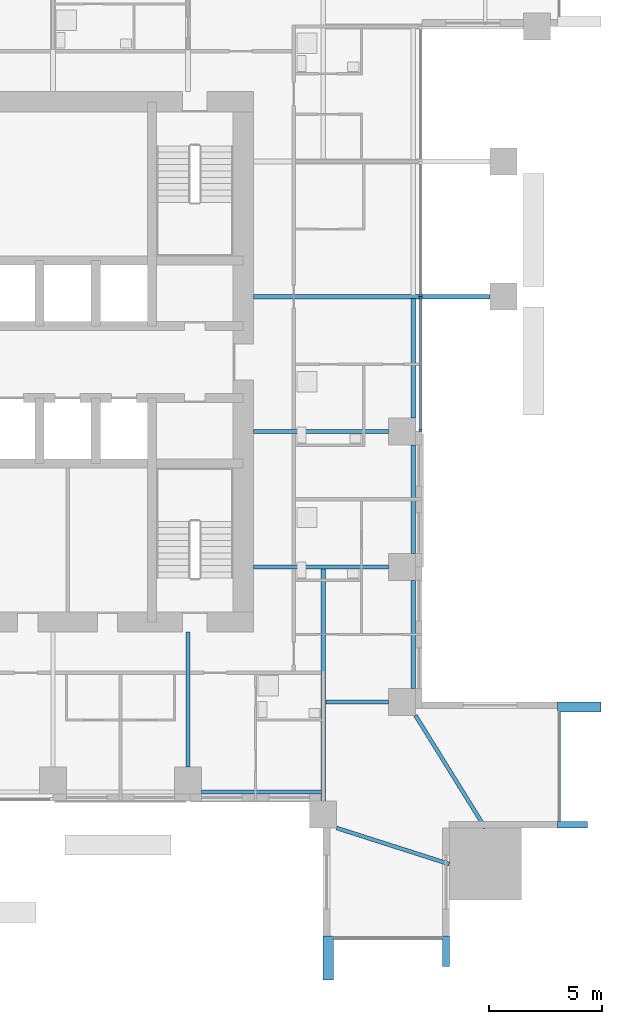
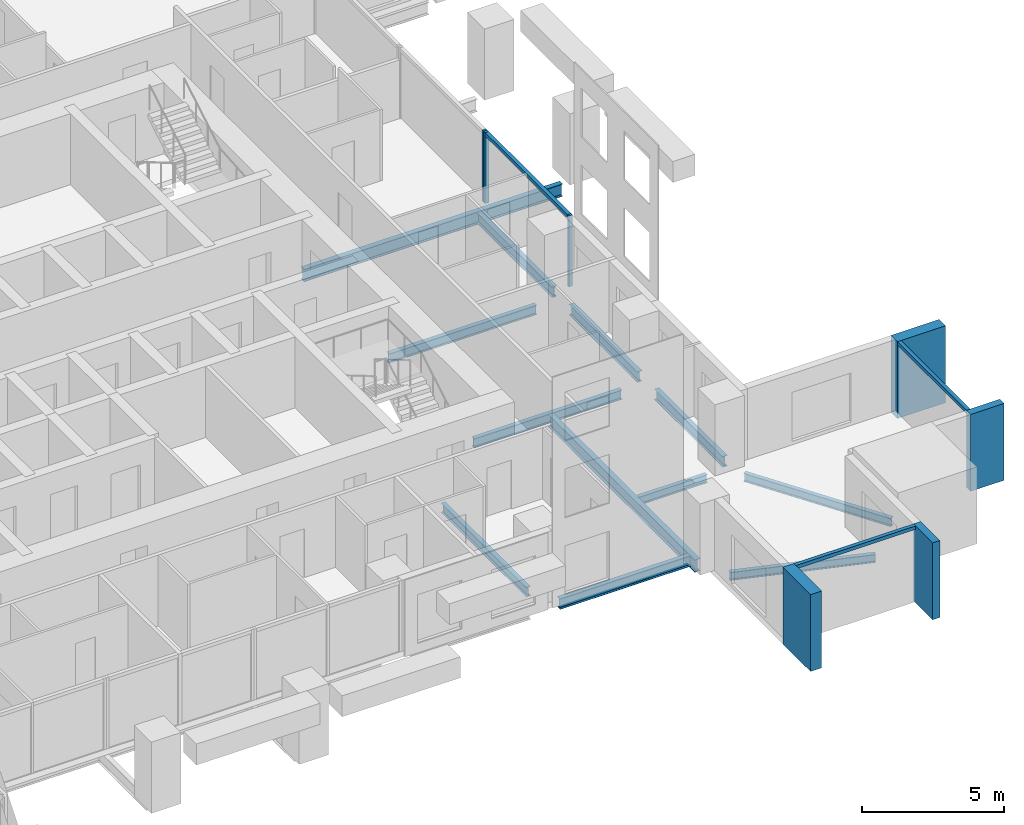
# One storey, part 3 of 13: 12 beams, 10 members, 4 elements without a shape of their own.
"""IFC4 building model written with IfcOpenShell, lengths in metres."""

import ifcopenshell
import ifcopenshell.guid

model = None  # the IFC model being written
_history = None  # IfcOwnerHistory: only IFC2X3 demands one
_inside = {}  # id of a spatial element -> (the spatial element, [elements in it])
_under = {}  # id of a project, library or spatial element -> (it, [spatial elements below it])
_declared = {}  # id of a project -> (the project, [libraries it declares])
_typed = {}  # id of a type object -> (the type object, [elements of that type])
_made_of = {}  # id of a material, layer set ... -> (it, [elements and type objects made of it])


def new_model(schema):
    """Start an empty IFC model of exactly this schema.

    Asked for "IFC4X3", IfcOpenShell would pick the latest addendum, in which some entities
    have other attributes; the version numbers below select the first issue.
    IFC2X3 requires an IfcOwnerHistory on every rooted entity: one is made here for all.
    """
    global model, _history
    if schema == "IFC4X3":
        model = ifcopenshell.file(schema_version=(4, 3, 0, 0))
    else:
        model = ifcopenshell.file(schema=schema)
    _inside.clear()
    _under.clear()
    _declared.clear()
    _typed.clear()
    _made_of.clear()
    _history = None
    if model.schema == "IFC2X3":
        org = make("IfcOrganization", Name="unknown")
        user = make(
            "IfcPersonAndOrganization",
            ThePerson=make("IfcPerson", FamilyName="unknown"),
            TheOrganization=org,
        )
        app = make(
            "IfcApplication",
            ApplicationDeveloper=org,
            Version="unknown",
            ApplicationFullName="unknown",
            ApplicationIdentifier="unknown",
        )
        _history = make(
            "IfcOwnerHistory",
            OwningUser=user,
            OwningApplication=app,
            ChangeAction="ADDED",
            CreationDate=0,
        )
    return model


def make(cls, **values):
    """One entity of the class cls with the attributes given. An attribute that is None is left unset."""
    return model.create_entity(
        cls, **{name: value for name, value in values.items() if value is not None}
    )


def rooted(cls, **values):
    """An entity with a GlobalId (a new one), such as an element, a storey or a relation."""
    return make(cls, GlobalId=ifcopenshell.guid.new(), OwnerHistory=_history, **values)


def si_unit(unit_type, name, prefix=None):
    """IfcSIUnit, for example si_unit("LENGTHUNIT", "METRE", prefix="MILLI")."""
    return make("IfcSIUnit", UnitType=unit_type, Prefix=prefix, Name=name)


def assignment(units):
    """IfcUnitAssignment: the units of a project."""
    return None if units is None else make("IfcUnitAssignment", Units=units)


def point(xyz):
    """IfcCartesianPoint."""
    return None if xyz is None else make("IfcCartesianPoint", Coordinates=xyz)


def direction(xyz):
    """IfcDirection."""
    return None if xyz is None else make("IfcDirection", DirectionRatios=xyz)


def frame(location, z_axis=None, x_axis=None):
    """IfcAxis2Placement3D, a coordinate frame: its origin and axes. An axis left out is left unset."""
    return make(
        "IfcAxis2Placement3D",
        Location=point(location),
        Axis=direction(z_axis),
        RefDirection=direction(x_axis),
    )


def frame_2d(location, x_axis=None):
    """IfcAxis2Placement2D, a coordinate frame in the plane: its origin and x axis."""
    return make(
        "IfcAxis2Placement2D", Location=point(location), RefDirection=direction(x_axis)
    )


def origin():
    """The frame at (0, 0, 0) with its axes left unset."""
    return frame((0.0, 0.0, 0.0))


def origin_2d():
    """The frame at (0, 0) in the plane with its x axis left unset."""
    return frame_2d((0.0, 0.0))


def place(relative_to, where):
    """IfcLocalPlacement: puts the frame where relative to a parent placement (None: the world)."""
    return make(
        "IfcLocalPlacement", PlacementRelTo=relative_to, RelativePlacement=where
    )


def context(
    kind, dimensions, precision=None, world=None, true_north=None, identifier=None
):
    """IfcGeometricRepresentationContext, for example the 3D "Model" context."""
    return make(
        "IfcGeometricRepresentationContext",
        ContextIdentifier=identifier,
        ContextType=kind,
        CoordinateSpaceDimension=dimensions,
        Precision=precision,
        WorldCoordinateSystem=world,
        TrueNorth=true_north,
    )


def subcontext(parent, identifier, kind, view, scale=None):
    """IfcGeometricRepresentationSubContext, for example "Body" below "Model"."""
    return make(
        "IfcGeometricRepresentationSubContext",
        ContextIdentifier=identifier,
        ContextType=kind,
        ParentContext=parent,
        TargetScale=scale,
        TargetView=view,
    )


def project(units=None, contexts=None):
    """IfcProject with its units and contexts."""
    return rooted(
        "IfcProject",
        Name="project",
        RepresentationContexts=contexts,
        UnitsInContext=assignment(units),
    )


def spatial(cls, under=None, at=None, **own):
    """A site, building, storey or space (cls), placed at a placement, below another one or the project."""
    s = rooted(cls, ObjectPlacement=at, **own)
    if under is not None:
        _under.setdefault(under.id(), (under, []))[1].append(s)
    return s


def profile(cls, at=None, kind="AREA", **sizes):
    """A parametric profile (cls). Its sizes go by their IFC names, for example OverallWidth=200.0."""
    return make(cls, ProfileType=kind, Position=at, **sizes)


def rectangle(**sizes):
    """IfcRectangleProfileDef."""
    return profile("IfcRectangleProfileDef", **sizes)


def i_section(**sizes):
    """IfcIShapeProfileDef."""
    return profile("IfcIShapeProfileDef", **sizes)


def extrude(swept, where, along, depth):
    """IfcExtrudedAreaSolid: the profile swept, set in the frame where, extruded along a direction by depth."""
    return make(
        "IfcExtrudedAreaSolid",
        SweptArea=swept,
        Position=where,
        ExtrudedDirection=direction(along),
        Depth=depth,
    )


def shape(context_of_items, identifier, shape_type, items):
    """IfcShapeRepresentation: the items that make up one representation, for example the "Body"."""
    return make(
        "IfcShapeRepresentation",
        ContextOfItems=context_of_items,
        RepresentationIdentifier=identifier,
        RepresentationType=shape_type,
        Items=items,
    )


def material(Name=None, Category=None):
    """IfcMaterial."""
    return make("IfcMaterial", Name=Name, Category=Category)


def material_profile(
    of_material, cross_section, Name=None, Category=None, Priority=None
):
    """IfcMaterialProfile: a cross section and its material."""
    return make(
        "IfcMaterialProfile",
        Name=Name,
        Material=of_material,
        Profile=cross_section,
        Priority=Priority,
        Category=Category,
    )


def profile_set(profiles, Name=None, composite=None):
    """IfcMaterialProfileSet."""
    return make(
        "IfcMaterialProfileSet",
        Name=Name,
        MaterialProfiles=profiles,
        CompositeProfile=composite,
    )


def made_of(thing, what):
    """Note that an element or type object is made of a material, layer set ...; save() writes the relation."""
    if what is not None:
        _made_of.setdefault(what.id(), (what, []))[1].append(thing)
    return thing


def type_object(cls, material=None, **own):
    """A type object (cls), such as IfcWallType, which elements share."""
    return made_of(rooted(cls, **own), material)


def element(
    cls,
    number,
    at=None,
    inside=None,
    cuts=None,
    type_object=None,
    material=None,
    context=None,
    identifier="Body",
    shape_type=None,
    held_by="IfcProductDefinitionShape",
    body=None,
    shapes=None,
    **own,
):
    """One element of the class cls, such as IfcWall. Its Tag is "e" and its number.

    at: its placement. inside: the storey or other place that contains it. cuts: it is an
    opening in that element (IfcRelVoidsElement). A single representation is given by context,
    identifier, shape_type and body (its items); several are given by shapes. held_by: the class
    of the entity that holds the representations. save() writes the other relations.
    """
    e = rooted(cls, Tag="e%d" % number, ObjectPlacement=at, **own)
    if body is not None:
        shapes = [shape(context, identifier, shape_type, body)]
    if shapes is not None:
        e.Representation = make(held_by, Representations=shapes)
    if inside is not None:
        _inside.setdefault(inside.id(), (inside, []))[1].append(e)
    if cuts is not None:
        rooted(
            "IfcRelVoidsElement", RelatingBuildingElement=cuts, RelatedOpeningElement=e
        )
    if type_object is not None:
        _typed.setdefault(type_object.id(), (type_object, []))[1].append(e)
    return made_of(e, material)


def aggregate(whole, parts):
    """IfcRelAggregates: a whole, such as a stair, and the parts it consists of."""
    return rooted("IfcRelAggregates", RelatingObject=whole, RelatedObjects=parts)


def save(model, path):
    """Write the relations noted so far, then the file.

    IfcRelAggregates (storeys below a building ...), IfcRelContainedInSpatialStructure (elements
    in a storey), IfcRelDefinesByType, IfcRelAssociatesMaterial and IfcRelDeclares: one each for
    every whole, place, type object, material and project.
    """
    for whole, parts in _under.values():
        aggregate(whole, parts)
    for where, things in _inside.values():
        rooted(
            "IfcRelContainedInSpatialStructure",
            RelatedElements=things,
            RelatingStructure=where,
        )
    for kind, things in _typed.values():
        rooted("IfcRelDefinesByType", RelatedObjects=things, RelatingType=kind)
    for what, things in _made_of.values():
        rooted("IfcRelAssociatesMaterial", RelatedObjects=things, RelatingMaterial=what)
    for by, libraries in _declared.values():
        rooted("IfcRelDeclares", RelatingContext=by, RelatedDefinitions=libraries)
    model.write(path)


model = new_model("IFC4")

# Units and contexts
model_context = context("Model", 3, precision=1e-05, world=origin(), true_north=direction((0.0, 1.0)))
body_context = subcontext(model_context, "Body", "Model", "MODEL_VIEW")
ifc_project = project(units=[si_unit("LENGTHUNIT", "METRE"), si_unit("AREAUNIT", "SQUARE_METRE"), si_unit("VOLUMEUNIT", "CUBIC_METRE"), si_unit("PLANEANGLEUNIT", "RADIAN"), si_unit("MASSUNIT", "GRAM", prefix="KILO")], contexts=[model_context])

# Site, building, storey
site_placement = place(None, origin())
site = spatial("IfcSite", under=ifc_project, at=site_placement, CompositionType="ELEMENT")
building_placement = place(site_placement, origin())
building = spatial("IfcBuilding", under=site, at=building_placement, Name="Amberfall Residences", CompositionType="ELEMENT")
storey_placement = place(building_placement, frame((0.0, 0.0, 56.5)))
storey = spatial("IfcBuildingStorey", under=building, at=storey_placement, Name="L15", CompositionType="ELEMENT", Elevation=56.5)

# Curtain wall, member
ifc_material_1 = material(Name="Bronze anodised aluminium and glass", Category="aluminium")
curtain_wall_type_1 = type_object("IfcCurtainWallType", Name="Curtain wall CW1 tower unit", PredefinedType="USERDEFINED", material=ifc_material_1)
curtain_wall_1_placement = place(storey_placement, origin())
curtain_wall_1 = element("IfcCurtainWall", 1, at=curtain_wall_1_placement, inside=storey, type_object=curtain_wall_type_1, Name="Curtain wall L15 S S9", ObjectType="UNITISED CURTAIN WALL", PredefinedType="USERDEFINED")
ifc_material_2 = material(Name="Bronze anodised aluminium", Category="aluminium")
ifc_material_profile_1 = material_profile(ifc_material_2, rectangle(XDim=0.14990234375, YDim=0.14990234375, at=origin_2d()), Name="CW1 transom 150 x 150 bronze")
ifc_profile_set_1 = profile_set([ifc_material_profile_1], Name="Bronze anodised aluminium")
member_type_1 = type_object("IfcMemberType", Name="CW1 transom 150 x 150 bronze", PredefinedType="USERDEFINED", material=ifc_profile_set_1)
member_1_placement = place(storey_placement, frame((90.050048828125, 19.925048828125, 2.97509765625), z_axis=(1.0, 0.0, 0.0), x_axis=(0.0, 1.0, 0.0)))
member_1 = element("IfcMember", 2, at=member_1_placement, type_object=member_type_1, Name="CW1 transom 1.1", ObjectType="TRANSOM", PredefinedType="USERDEFINED", context=body_context, shape_type="SweptSolid", body=[
    extrude(rectangle(XDim=0.14990234375, YDim=0.14990234375, at=origin_2d()), origin(), (0.0, 0.0, 1.0), 4.849853515625),
])

curtain_wall_2_placement = place(storey_placement, origin())
curtain_wall_2 = element("IfcCurtainWall", 3, at=curtain_wall_2_placement, inside=storey, type_object=curtain_wall_type_1, Name="Curtain wall L15 E E1", ObjectType="UNITISED CURTAIN WALL", PredefinedType="USERDEFINED")
member_2_placement = place(storey_placement, frame((100.074951171875, 25.10009765625, 2.97509765625), z_axis=(0.0, 1.0, 0.0), x_axis=(-1.0, 0.0, 0.0)))
member_2 = element("IfcMember", 4, at=member_2_placement, type_object=member_type_1, Name="CW1 transom 1.1", ObjectType="TRANSOM", PredefinedType="USERDEFINED", context=body_context, shape_type="SweptSolid", body=[
    extrude(rectangle(XDim=0.14990234375, YDim=0.14990234375, at=origin_2d()), origin(), (0.0, 0.0, 1.0), 4.849853515625),
])

# Curtain wall, members
curtain_wall_type_2 = type_object("IfcCurtainWallType", Name="Curtain wall CW3 sky garden glazing", PredefinedType="USERDEFINED", material=ifc_material_1)
curtain_wall_3_placement = place(storey_placement, origin())
curtain_wall_3 = element("IfcCurtainWall", 5, at=curtain_wall_3_placement, inside=storey, type_object=curtain_wall_type_2, Name="Curtain wall L15 E E5", ObjectType="UNITISED CURTAIN WALL", PredefinedType="USERDEFINED")
ifc_material_profile_2 = material_profile(ifc_material_2, rectangle(XDim=0.14990234375, YDim=0.10009765625, at=origin_2d()), Name="CW3 mullion 100 x 150 bronze")
ifc_profile_set_2 = profile_set([ifc_material_profile_2], Name="Bronze anodised aluminium")
member_type_2 = type_object("IfcMemberType", Name="CW3 mullion 100 x 150 bronze", PredefinedType="MULLION", material=ifc_profile_set_2)
member_3_placement = place(storey_placement, frame((93.925048828125, 42.449951171875, 0.0), z_axis=(0.0, 0.0, 1.0), x_axis=(-1.0, 0.0, 0.0)))
member_3 = element("IfcMember", 6, at=member_3_placement, type_object=member_type_2, Name="CW3 mullion 1", PredefinedType="MULLION", context=body_context, shape_type="SweptSolid", body=[
    extrude(rectangle(XDim=0.14990234375, YDim=0.10009765625, at=origin_2d()), origin(), (0.0, 0.0, 1.0), 3.050048828125),
])
member_4_placement = place(storey_placement, frame((93.925048828125, 48.35009765625, 0.0), z_axis=(0.0, 0.0, 1.0), x_axis=(-1.0, 0.0, 0.0)))
member_4 = element("IfcMember", 7, at=member_4_placement, type_object=member_type_2, Name="CW3 mullion 2", PredefinedType="MULLION", context=body_context, shape_type="SweptSolid", body=[
    extrude(rectangle(XDim=0.14990234375, YDim=0.10009765625, at=origin_2d()), origin(), (0.0, 0.0, 1.0), 3.050048828125),
])

# Curtain wall, member
curtain_wall_4_placement = place(storey_placement, origin())
curtain_wall_4 = element("IfcCurtainWall", 8, at=curtain_wall_4_placement, inside=storey, type_object=curtain_wall_type_2, Name="Curtain wall L15 E E6", ObjectType="UNITISED CURTAIN WALL", PredefinedType="USERDEFINED")
member_5_placement = place(storey_placement, frame((93.925048828125, 48.449951171875, 0.0), z_axis=(0.0, 0.0, 1.0), x_axis=(-1.0, 0.0, 0.0)))
member_5 = element("IfcMember", 9, at=member_5_placement, type_object=member_type_2, Name="CW3 mullion 1", PredefinedType="MULLION", context=body_context, shape_type="SweptSolid", body=[
    extrude(rectangle(XDim=0.14990234375, YDim=0.10009765625, at=origin_2d()), origin(), (0.0, 0.0, 1.0), 3.050048828125),
])
aggregate(curtain_wall_4, [member_5])

# Member
ifc_material_profile_3 = material_profile(ifc_material_2, rectangle(XDim=0.14990234375, YDim=0.14990234375, at=origin_2d()), Name="CW3 transom 150 x 150 bronze")
ifc_profile_set_3 = profile_set([ifc_material_profile_3], Name="Bronze anodised aluminium")
member_type_3 = type_object("IfcMemberType", Name="CW3 transom 150 x 150 bronze", PredefinedType="USERDEFINED", material=ifc_profile_set_3)
member_6_placement = place(storey_placement, frame((93.925048828125, 42.5, 2.97509765625), z_axis=(0.0, 1.0, 0.0), x_axis=(-1.0, 0.0, 0.0)))
member_6 = element("IfcMember", 10, at=member_6_placement, type_object=member_type_3, Name="CW3 transom 1.1", ObjectType="TRANSOM", PredefinedType="USERDEFINED", context=body_context, shape_type="SweptSolid", body=[
    extrude(rectangle(XDim=0.14990234375, YDim=0.14990234375, at=origin_2d()), origin(), (0.0, 0.0, 1.0), 5.800048828125),
])

aggregate(curtain_wall_3, [member_3, member_4, member_6])

ifc_material_profile_4 = material_profile(ifc_material_2, rectangle(XDim=1.35009765625, YDim=0.300048828125, at=origin_2d()), Name="Corner fin 300 x 1350 bronze")
ifc_profile_set_4 = profile_set([ifc_material_profile_4], Name="Bronze anodised aluminium")
member_type_4 = type_object("IfcMemberType", Name="Corner fin 300 x 1350 bronze", PredefinedType="MULLION", material=ifc_profile_set_4)
member_7_placement = place(storey_placement, frame((95.050048828125, 19.324951171875, -0.25), z_axis=(0.0, 0.0, 1.0), x_axis=(0.0, 1.0, 0.0)))
member_7 = element("IfcMember", 11, at=member_7_placement, type_object=member_type_4, Name="CW FIN 2", PredefinedType="MULLION", context=body_context, shape_type="SweptSolid", body=[
    extrude(rectangle(XDim=1.35009765625, YDim=0.300048828125, at=origin_2d()), origin(), (0.0, 0.0, 1.0), 3.300048828125),
])

member_8_placement = place(storey_placement, frame((100.675048828125, 24.949951171875, -0.25), z_axis=(0.0, 0.0, 1.0), x_axis=(-1.0, 0.0, 0.0)))
member_8 = element("IfcMember", 12, at=member_8_placement, type_object=member_type_4, Name="CW FIN 1", PredefinedType="MULLION", context=body_context, shape_type="SweptSolid", body=[
    extrude(rectangle(XDim=1.35009765625, YDim=0.300048828125, at=origin_2d()), origin(), (0.0, 0.0, 1.0), 3.300048828125),
])

# Beams
ifc_material_3 = material(Name="Steel S355", Category="steel")
ifc_material_profile_5 = material_profile(ifc_material_3, i_section(OverallWidth=0.18994140625, OverallDepth=0.453369140625, WebThickness=0.008544921875, FlangeThickness=0.0126953125, FilletRadius=0.01025390625, at=origin_2d()), Name="UB 457x191x67")
ifc_profile_set_5 = profile_set([ifc_material_profile_5], Name="Steel S355")
beam_type_1 = type_object("IfcBeamType", Name="Edge beam UB 457x191x67", PredefinedType="SPANDREL", material=ifc_profile_set_5)
beam_1_placement = place(storey_placement, frame((84.199951171875, 26.39990234375, -0.476806640625), z_axis=(1.0, 0.0, 0.0), x_axis=(0.0, 1.0, 0.0)))
element("IfcBeam", 13, at=beam_1_placement, inside=storey, type_object=beam_type_1, Name="Edge beam B1 L15 05", PredefinedType="SPANDREL", context=body_context, shape_type="SweptSolid", body=[
    extrude(i_section(OverallWidth=0.18994140625, OverallDepth=0.453369140625, WebThickness=0.008544921875, FlangeThickness=0.0126953125, FilletRadius=0.01025390625, at=origin_2d()), origin(), (0.0, 0.0, 1.0), 5.320068359375),
])
for number, where, z_axis, x_axis, name in (
    (14, (93.60009765625, 31.0, -0.476806640625), (0.0, 1.0, 0.0), (-1.0, 0.0, 0.0), "Edge beam B1 L15 12"),
    (15, (93.60009765625, 37.0, -0.476806640625), (0.0, 1.0, 0.0), (-1.0, 0.0, 0.0), "Edge beam B1 L15 13"),
):
    element("IfcBeam", number, at=place(storey_placement, frame(where, z_axis=z_axis, x_axis=x_axis)), inside=storey, type_object=beam_type_1, Name=name, PredefinedType="SPANDREL", context=body_context, shape_type="SweptSolid", body=[
        extrude(i_section(OverallWidth=0.18994140625, OverallDepth=0.453369140625, WebThickness=0.008544921875, FlangeThickness=0.0126953125, FilletRadius=0.01025390625, at=origin_2d()), origin(), (0.0, 0.0, 1.0), 4.800048828125),
    ])
beam_2_placement = place(storey_placement, frame((93.60009765625, 43.0, -0.476806640625), z_axis=(0.0, 1.0, 0.0), x_axis=(-1.0, 0.0, 0.0)))
element("IfcBeam", 16, at=beam_2_placement, inside=storey, type_object=beam_type_1, Name="Edge beam B1 L15 14", PredefinedType="SPANDREL", context=body_context, shape_type="SweptSolid", body=[
    extrude(i_section(OverallWidth=0.18994140625, OverallDepth=0.453369140625, WebThickness=0.008544921875, FlangeThickness=0.0126953125, FilletRadius=0.01025390625, at=origin_2d()), origin(), (0.0, 0.0, 1.0), 5.320068359375),
])

# Member
ifc_material_profile_6 = material_profile(ifc_material_2, rectangle(XDim=1.949951171875, YDim=0.449951171875, at=origin_2d()), Name="Fin 450 x 1950 bronze")
ifc_profile_set_6 = profile_set([ifc_material_profile_6], Name="Bronze anodised aluminium")
member_type_5 = type_object("IfcMemberType", Name="Fin 450 x 1950 bronze", PredefinedType="MULLION", material=ifc_profile_set_6)
member_9_placement = place(storey_placement, frame((89.824951171875, 19.02490234375, -0.25), z_axis=(0.0, 0.0, 1.0), x_axis=(0.0, 1.0, 0.0)))
member_9 = element("IfcMember", 17, at=member_9_placement, type_object=member_type_5, Name="CW FIN 1", PredefinedType="MULLION", context=body_context, shape_type="SweptSolid", body=[
    extrude(rectangle(XDim=1.949951171875, YDim=0.449951171875, at=origin_2d()), origin(), (0.0, 0.0, 1.0), 3.300048828125),
])

aggregate(curtain_wall_1, [member_9, member_7, member_1])

member_10_placement = place(storey_placement, frame((100.97509765625, 30.175048828125, -0.25), z_axis=(0.0, 0.0, 1.0), x_axis=(-1.0, 0.0, 0.0)))
member_10 = element("IfcMember", 18, at=member_10_placement, type_object=member_type_5, Name="CW FIN 2", PredefinedType="MULLION", context=body_context, shape_type="SweptSolid", body=[
    extrude(rectangle(XDim=1.949951171875, YDim=0.449951171875, at=origin_2d()), origin(), (0.0, 0.0, 1.0), 3.300048828125),
])

aggregate(curtain_wall_2, [member_8, member_10, member_2])

# Beams
ifc_material_profile_7 = material_profile(ifc_material_3, i_section(OverallWidth=0.171142578125, OverallDepth=0.351318359375, WebThickness=0.007080078125, FlangeThickness=0.009765625, FilletRadius=0.01025390625, at=origin_2d()), Name="UB 356x171x45")
ifc_profile_set_7 = profile_set([ifc_material_profile_7], Name="Steel S355")
beam_type_2 = type_object("IfcBeamType", Name="Floor girder UB 356x171x45", PredefinedType="BEAM", material=ifc_profile_set_7)
beam_3_placement = place(storey_placement, frame((92.5, 30.39990234375, -0.42578125), z_axis=(-1.0, 0.0, 0.0), x_axis=(0.0, -1.0, 0.0)))
element("IfcBeam", 19, at=beam_3_placement, inside=storey, type_object=beam_type_2, Name="Floor girder B11 L15 17", PredefinedType="BEAM", context=body_context, shape_type="SweptSolid", body=[
    extrude(i_section(OverallWidth=0.171142578125, OverallDepth=0.351318359375, WebThickness=0.007080078125, FlangeThickness=0.009765625, FilletRadius=0.01025390625, at=origin_2d()), origin(), (0.0, 0.0, 1.0), 2.780029296875),
])
ifc_material_profile_8 = material_profile(ifc_material_3, i_section(OverallWidth=0.177734375, OverallDepth=0.402587890625, WebThickness=0.0078125, FlangeThickness=0.010986328125, FilletRadius=0.01025390625, at=origin_2d()), Name="UB 406x178x54")
ifc_profile_set_8 = profile_set([ifc_material_profile_8], Name="Steel S355")
beam_type_3 = type_object("IfcBeamType", Name="Floor girder UB 406x178x54", PredefinedType="BEAM", material=ifc_profile_set_8)
for number, where, z_axis, x_axis, name in (
    (20, (83.60009765625, 27.5, -0.451416015625), (0.0, 1.0, 0.0), (-1.0, 0.0, 0.0), "Floor girder B4 L15 10"),
    (21, (92.5, 36.39990234375, -0.451416015625), (-1.0, 0.0, 0.0), (0.0, -1.0, 0.0), "Floor girder B4 L15 18"),
    (22, (92.5, 42.39990234375, -0.451416015625), (-1.0, 0.0, 0.0), (0.0, -1.0, 0.0), "Floor girder B4 L15 19"),
):
    element("IfcBeam", number, at=place(storey_placement, frame(where, z_axis=z_axis, x_axis=x_axis)), inside=storey, type_object=beam_type_3, Name=name, PredefinedType="BEAM", context=body_context, shape_type="SweptSolid", body=[
        extrude(i_section(OverallWidth=0.177734375, OverallDepth=0.402587890625, WebThickness=0.0078125, FlangeThickness=0.010986328125, FilletRadius=0.01025390625, at=origin_2d()), origin(), (0.0, 0.0, 1.0), 6.0),
    ])
ifc_material_profile_9 = material_profile(ifc_material_3, i_section(OverallWidth=0.209228515625, OverallDepth=0.533203125, WebThickness=0.010009765625, FlangeThickness=0.015625, FilletRadius=0.0126953125, at=origin_2d()), Name="UB 533x210x92")
ifc_profile_set_9 = profile_set([ifc_material_profile_9], Name="Steel S355")
beam_type_4 = type_object("IfcBeamType", Name="Floor girder UB 533x210x92", PredefinedType="BEAM", material=ifc_profile_set_9)
beam_4_placement = place(storey_placement, frame((89.60009765625, 26.0, -0.5166015625), z_axis=(0.0, 1.0, 0.0), x_axis=(-1.0, 0.0, 0.0)))
element("IfcBeam", 23, at=beam_4_placement, inside=storey, type_object=beam_type_4, Name="Floor girder B3 L15 11", PredefinedType="BEAM", context=body_context, shape_type="SweptSolid", body=[
    extrude(i_section(OverallWidth=0.209228515625, OverallDepth=0.533203125, WebThickness=0.010009765625, FlangeThickness=0.015625, FilletRadius=0.0126953125, at=origin_2d()), origin(), (0.0, 0.0, 1.0), 10.316162109375),
])
beam_5_placement = place(storey_placement, frame((97.0, 48.39990234375, -0.5166015625), z_axis=(-1.0, 0.0, 0.0), x_axis=(0.0, -1.0, 0.0)))
element("IfcBeam", 24, at=beam_5_placement, inside=storey, type_object=beam_type_4, Name="Floor girder B3 L15 20", PredefinedType="BEAM", context=body_context, shape_type="SweptSolid", body=[
    extrude(i_section(OverallWidth=0.209228515625, OverallDepth=0.533203125, WebThickness=0.010009765625, FlangeThickness=0.015625, FilletRadius=0.0126953125, at=origin_2d()), origin(), (0.0, 0.0, 1.0), 10.5),
])
ifc_material_profile_10 = material_profile(ifc_material_3, i_section(OverallWidth=0.171142578125, OverallDepth=0.351318359375, WebThickness=0.007080078125, FlangeThickness=0.009765625, FilletRadius=0.01025390625, at=origin_2d()), Name="UB 356x171x45")
ifc_profile_set_10 = profile_set([ifc_material_profile_10], Name="Steel S355")
beam_type_5 = type_object("IfcBeamType", Name="Link beam UB 356x171x45", PredefinedType="BEAM", material=ifc_profile_set_10)
beam_6_placement = place(storey_placement, frame((95.199951171875, 23.199951171875, -0.42578125), z_axis=(-0.952418747361, 0.304792601084, 0.0), x_axis=(-0.304792601084, -0.952418747361, 0.0)))
element("IfcBeam", 25, at=beam_6_placement, inside=storey, type_object=beam_type_5, Name="Link beam B7 L15 47", PredefinedType="BEAM", context=body_context, shape_type="SweptSolid", body=[
    extrude(i_section(OverallWidth=0.171142578125, OverallDepth=0.351318359375, WebThickness=0.007080078125, FlangeThickness=0.009765625, FilletRadius=0.01025390625, at=origin_2d()), origin(), (0.0, 0.0, 1.0), 5.249755859375),
])
beam_7_placement = place(storey_placement, frame((96.800048828125, 24.800048828125, -0.42578125), z_axis=(-0.526951659214, 0.849895257577, 0.0), x_axis=(-0.849895257577, -0.526951659214, 0.0)))
element("IfcBeam", 26, at=beam_7_placement, inside=storey, type_object=beam_type_5, Name="Link beam B7 L15 48", PredefinedType="BEAM", context=body_context, shape_type="SweptSolid", body=[
    extrude(i_section(OverallWidth=0.171142578125, OverallDepth=0.351318359375, WebThickness=0.007080078125, FlangeThickness=0.009765625, FilletRadius=0.01025390625, at=origin_2d()), origin(), (0.0, 0.0, 1.0), 5.883056640625),
])

save(model, "model.ifc")
